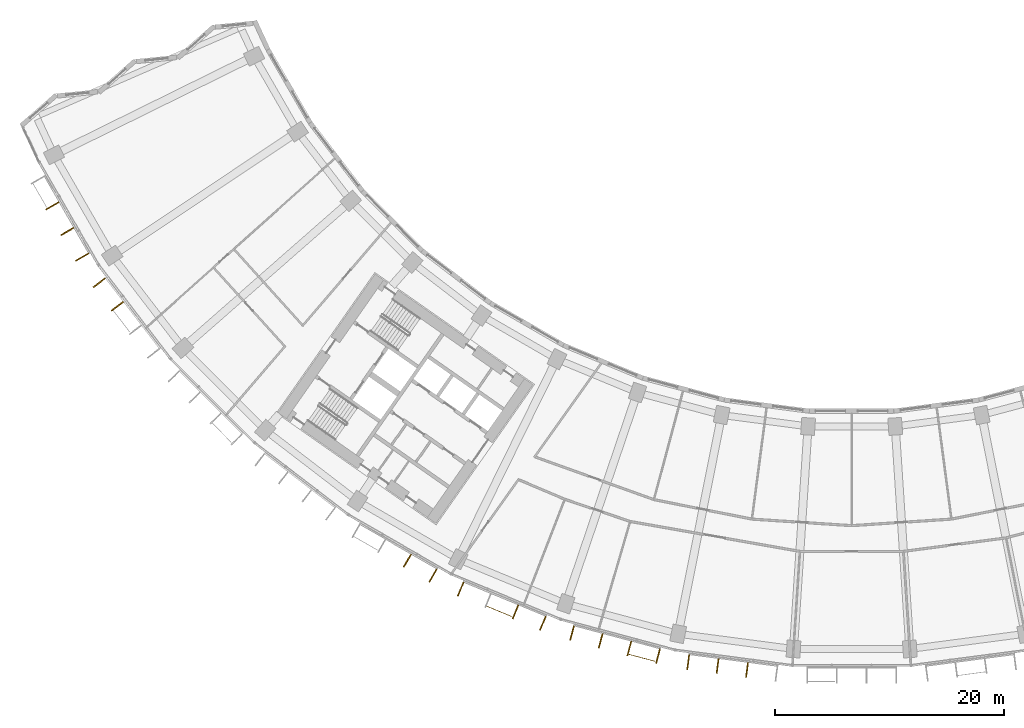
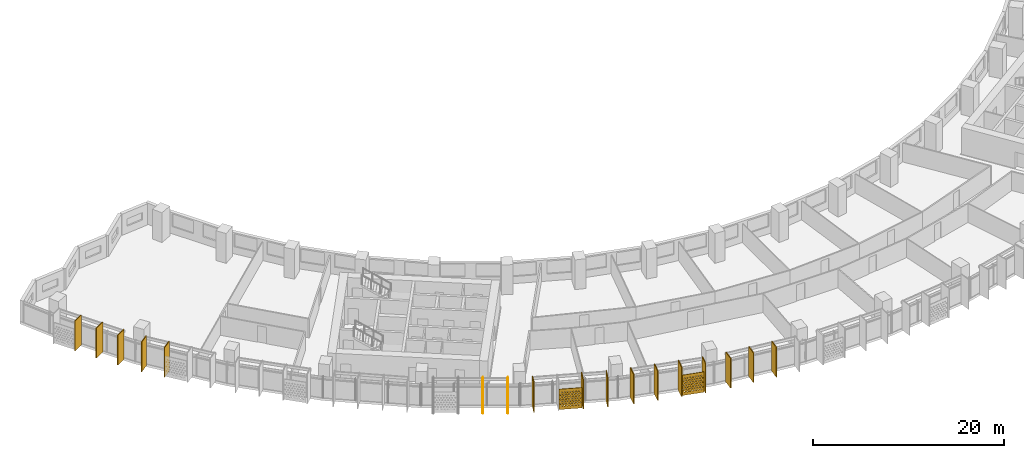
# One storey, part 24 of 28: 19 shading devices.
"""IFC4 building model written with IfcOpenShell, lengths in metres."""

from ifc_helpers import new_model, si_unit, direction, frame, origin, origin_2d, place, context, subcontext, project, spatial, polyline, rectangle, outline, extrude, material, material_profile, profile_set, type_object, element, save


model = new_model("IFC4")

# Units and contexts
model_context = context("Model", 3, precision=1e-05, world=origin(), true_north=direction((0.0, 1.0)))
body_context = subcontext(model_context, "Body", "Model", "MODEL_VIEW")
ifc_project = project(units=[si_unit("LENGTHUNIT", "METRE"), si_unit("AREAUNIT", "SQUARE_METRE"), si_unit("VOLUMEUNIT", "CUBIC_METRE"), si_unit("PLANEANGLEUNIT", "RADIAN"), si_unit("MASSUNIT", "GRAM", prefix="KILO")], contexts=[model_context])

# Site, building, storey
site_placement = place(None, origin())
site = spatial("IfcSite", under=ifc_project, at=site_placement, CompositionType="ELEMENT")
building_placement = place(site_placement, origin())
building = spatial("IfcBuilding", under=site, at=building_placement, Name="Qamariyya Broadcast Tower", CompositionType="ELEMENT")
storey_placement = place(building_placement, frame((0.0, 0.0, 140.5)))
storey = spatial("IfcBuildingStorey", under=building, at=storey_placement, Name="L32", CompositionType="ELEMENT", Elevation=140.5)

# Shading devices
ifc_material_1 = material(Name="Perforated glazed terracotta", Category="masonry")
ifc_material_profile_1 = material_profile(ifc_material_1, outline(polyline([(-1.199951171875, -1.300048828125), (1.199951171875, -1.300048828125), (1.199951171875, 1.300048828125), (-1.199951171875, 1.300048828125), (-1.199951171875, -1.300048828125)]), holes=[polyline([(-0.81494140625, -0.86669921875), (-0.89990234375, -0.78173828125), (-0.985107421875, -0.86669921875), (-0.89990234375, -0.95166015625), (-0.81494140625, -0.86669921875)]), polyline([(-0.514892578125, -0.86669921875), (-0.60009765625, -0.78173828125), (-0.68505859375, -0.86669921875), (-0.60009765625, -0.95166015625), (-0.514892578125, -0.86669921875)]), polyline([(-0.215087890625, -0.86669921875), (-0.300048828125, -0.78173828125), (-0.385009765625, -0.86669921875), (-0.300048828125, -0.95166015625), (-0.215087890625, -0.86669921875)]), polyline([(0.0849609375, -0.86669921875), (0.0, -0.78173828125), (-0.0849609375, -0.86669921875), (0.0, -0.95166015625), (0.0849609375, -0.86669921875)]), polyline([(0.385009765625, -0.86669921875), (0.300048828125, -0.78173828125), (0.215087890625, -0.86669921875), (0.300048828125, -0.95166015625), (0.385009765625, -0.86669921875)]), polyline([(0.68505859375, -0.86669921875), (0.60009765625, -0.78173828125), (0.514892578125, -0.86669921875), (0.60009765625, -0.95166015625), (0.68505859375, -0.86669921875)]), polyline([(0.985107421875, -0.86669921875), (0.89990234375, -0.78173828125), (0.81494140625, -0.86669921875), (0.89990234375, -0.95166015625), (0.985107421875, -0.86669921875)]), polyline([(-0.965087890625, -0.577880859375), (-1.050048828125, -0.49267578125), (-1.135009765625, -0.577880859375), (-1.050048828125, -0.662841796875), (-0.965087890625, -0.577880859375)]), polyline([(-0.6650390625, -0.577880859375), (-0.75, -0.49267578125), (-0.8349609375, -0.577880859375), (-0.75, -0.662841796875), (-0.6650390625, -0.577880859375)]), polyline([(-0.364990234375, -0.577880859375), (-0.449951171875, -0.49267578125), (-0.534912109375, -0.577880859375), (-0.449951171875, -0.662841796875), (-0.364990234375, -0.577880859375)]), polyline([(-0.06494140625, -0.577880859375), (-0.14990234375, -0.49267578125), (-0.235107421875, -0.577880859375), (-0.14990234375, -0.662841796875), (-0.06494140625, -0.577880859375)]), polyline([(0.235107421875, -0.577880859375), (0.14990234375, -0.49267578125), (0.06494140625, -0.577880859375), (0.14990234375, -0.662841796875), (0.235107421875, -0.577880859375)]), polyline([(0.534912109375, -0.577880859375), (0.449951171875, -0.49267578125), (0.364990234375, -0.577880859375), (0.449951171875, -0.662841796875), (0.534912109375, -0.577880859375)]), polyline([(0.8349609375, -0.577880859375), (0.75, -0.49267578125), (0.6650390625, -0.577880859375), (0.75, -0.662841796875), (0.8349609375, -0.577880859375)]), polyline([(1.135009765625, -0.577880859375), (1.050048828125, -0.49267578125), (0.965087890625, -0.577880859375), (1.050048828125, -0.662841796875), (1.135009765625, -0.577880859375)]), polyline([(-0.81494140625, -0.288818359375), (-0.89990234375, -0.203857421875), (-0.985107421875, -0.288818359375), (-0.89990234375, -0.373779296875), (-0.81494140625, -0.288818359375)]), polyline([(-0.514892578125, -0.288818359375), (-0.60009765625, -0.203857421875), (-0.68505859375, -0.288818359375), (-0.60009765625, -0.373779296875), (-0.514892578125, -0.288818359375)]), polyline([(-0.215087890625, -0.288818359375), (-0.300048828125, -0.203857421875), (-0.385009765625, -0.288818359375), (-0.300048828125, -0.373779296875), (-0.215087890625, -0.288818359375)]), polyline([(0.0849609375, -0.288818359375), (0.0, -0.203857421875), (-0.0849609375, -0.288818359375), (0.0, -0.373779296875), (0.0849609375, -0.288818359375)]), polyline([(0.385009765625, -0.288818359375), (0.300048828125, -0.203857421875), (0.215087890625, -0.288818359375), (0.300048828125, -0.373779296875), (0.385009765625, -0.288818359375)]), polyline([(0.68505859375, -0.288818359375), (0.60009765625, -0.203857421875), (0.514892578125, -0.288818359375), (0.60009765625, -0.373779296875), (0.68505859375, -0.288818359375)]), polyline([(0.985107421875, -0.288818359375), (0.89990234375, -0.203857421875), (0.81494140625, -0.288818359375), (0.89990234375, -0.373779296875), (0.985107421875, -0.288818359375)]), polyline([(-0.965087890625, 0.0), (-1.050048828125, 0.0849609375), (-1.135009765625, 0.0), (-1.050048828125, -0.0849609375), (-0.965087890625, 0.0)]), polyline([(-0.6650390625, 0.0), (-0.75, 0.0849609375), (-0.8349609375, 0.0), (-0.75, -0.0849609375), (-0.6650390625, 0.0)]), polyline([(-0.364990234375, 0.0), (-0.449951171875, 0.0849609375), (-0.534912109375, 0.0), (-0.449951171875, -0.0849609375), (-0.364990234375, 0.0)]), polyline([(-0.06494140625, 0.0), (-0.14990234375, 0.0849609375), (-0.235107421875, 0.0), (-0.14990234375, -0.0849609375), (-0.06494140625, 0.0)]), polyline([(0.235107421875, 0.0), (0.14990234375, 0.0849609375), (0.06494140625, 0.0), (0.14990234375, -0.0849609375), (0.235107421875, 0.0)]), polyline([(0.534912109375, 0.0), (0.449951171875, 0.0849609375), (0.364990234375, 0.0), (0.449951171875, -0.0849609375), (0.534912109375, 0.0)]), polyline([(0.8349609375, 0.0), (0.75, 0.0849609375), (0.6650390625, 0.0), (0.75, -0.0849609375), (0.8349609375, 0.0)]), polyline([(1.135009765625, 0.0), (1.050048828125, 0.0849609375), (0.965087890625, 0.0), (1.050048828125, -0.0849609375), (1.135009765625, 0.0)]), polyline([(-0.81494140625, 0.288818359375), (-0.89990234375, 0.373779296875), (-0.985107421875, 0.288818359375), (-0.89990234375, 0.203857421875), (-0.81494140625, 0.288818359375)]), polyline([(-0.514892578125, 0.288818359375), (-0.60009765625, 0.373779296875), (-0.68505859375, 0.288818359375), (-0.60009765625, 0.203857421875), (-0.514892578125, 0.288818359375)]), polyline([(-0.215087890625, 0.288818359375), (-0.300048828125, 0.373779296875), (-0.385009765625, 0.288818359375), (-0.300048828125, 0.203857421875), (-0.215087890625, 0.288818359375)]), polyline([(0.0849609375, 0.288818359375), (0.0, 0.373779296875), (-0.0849609375, 0.288818359375), (0.0, 0.203857421875), (0.0849609375, 0.288818359375)]), polyline([(0.385009765625, 0.288818359375), (0.300048828125, 0.373779296875), (0.215087890625, 0.288818359375), (0.300048828125, 0.203857421875), (0.385009765625, 0.288818359375)]), polyline([(0.68505859375, 0.288818359375), (0.60009765625, 0.373779296875), (0.514892578125, 0.288818359375), (0.60009765625, 0.203857421875), (0.68505859375, 0.288818359375)]), polyline([(0.985107421875, 0.288818359375), (0.89990234375, 0.373779296875), (0.81494140625, 0.288818359375), (0.89990234375, 0.203857421875), (0.985107421875, 0.288818359375)]), polyline([(-0.965087890625, 0.577880859375), (-1.050048828125, 0.662841796875), (-1.135009765625, 0.577880859375), (-1.050048828125, 0.49267578125), (-0.965087890625, 0.577880859375)]), polyline([(-0.6650390625, 0.577880859375), (-0.75, 0.662841796875), (-0.8349609375, 0.577880859375), (-0.75, 0.49267578125), (-0.6650390625, 0.577880859375)]), polyline([(-0.364990234375, 0.577880859375), (-0.449951171875, 0.662841796875), (-0.534912109375, 0.577880859375), (-0.449951171875, 0.49267578125), (-0.364990234375, 0.577880859375)]), polyline([(-0.06494140625, 0.577880859375), (-0.14990234375, 0.662841796875), (-0.235107421875, 0.577880859375), (-0.14990234375, 0.49267578125), (-0.06494140625, 0.577880859375)]), polyline([(0.235107421875, 0.577880859375), (0.14990234375, 0.662841796875), (0.06494140625, 0.577880859375), (0.14990234375, 0.49267578125), (0.235107421875, 0.577880859375)]), polyline([(0.534912109375, 0.577880859375), (0.449951171875, 0.662841796875), (0.364990234375, 0.577880859375), (0.449951171875, 0.49267578125), (0.534912109375, 0.577880859375)]), polyline([(0.8349609375, 0.577880859375), (0.75, 0.662841796875), (0.6650390625, 0.577880859375), (0.75, 0.49267578125), (0.8349609375, 0.577880859375)]), polyline([(1.135009765625, 0.577880859375), (1.050048828125, 0.662841796875), (0.965087890625, 0.577880859375), (1.050048828125, 0.49267578125), (1.135009765625, 0.577880859375)]), polyline([(-0.81494140625, 0.86669921875), (-0.89990234375, 0.95166015625), (-0.985107421875, 0.86669921875), (-0.89990234375, 0.78173828125), (-0.81494140625, 0.86669921875)]), polyline([(-0.514892578125, 0.86669921875), (-0.60009765625, 0.95166015625), (-0.68505859375, 0.86669921875), (-0.60009765625, 0.78173828125), (-0.514892578125, 0.86669921875)]), polyline([(-0.215087890625, 0.86669921875), (-0.300048828125, 0.95166015625), (-0.385009765625, 0.86669921875), (-0.300048828125, 0.78173828125), (-0.215087890625, 0.86669921875)]), polyline([(0.0849609375, 0.86669921875), (0.0, 0.95166015625), (-0.0849609375, 0.86669921875), (0.0, 0.78173828125), (0.0849609375, 0.86669921875)]), polyline([(0.385009765625, 0.86669921875), (0.300048828125, 0.95166015625), (0.215087890625, 0.86669921875), (0.300048828125, 0.78173828125), (0.385009765625, 0.86669921875)]), polyline([(0.68505859375, 0.86669921875), (0.60009765625, 0.95166015625), (0.514892578125, 0.86669921875), (0.60009765625, 0.78173828125), (0.68505859375, 0.86669921875)]), polyline([(0.985107421875, 0.86669921875), (0.89990234375, 0.95166015625), (0.81494140625, 0.86669921875), (0.89990234375, 0.78173828125), (0.985107421875, 0.86669921875)])]))
ifc_profile_set_1 = profile_set([ifc_material_profile_1], Name="Perforated glazed terracotta")
shading_device_type_1 = type_object("IfcShadingDeviceType", Name="Perforated terracotta screen 2400 x 2600", PredefinedType="USERDEFINED", material=ifc_profile_set_1)
shading_device_1_placement = place(storey_placement, frame((-30.810791015625, -74.26220703125, 1.35009765625), z_axis=(-0.382591441855, -0.923917630863, 0.0), x_axis=(0.923917630863, -0.382591441855, 0.0)))
element("IfcShadingDevice", 1, at=shading_device_1_placement, inside=storey, type_object=shading_device_type_1, Name="e-scr-L32-06-1", ObjectType="SCREEN", PredefinedType="USERDEFINED", context=body_context, shape_type="SweptSolid", body=[
    extrude(outline(polyline([(-1.199951171875, -1.300048828125), (1.199951171875, -1.300048828125), (1.199951171875, 1.300048828125), (-1.199951171875, 1.300048828125), (-1.199951171875, -1.300048828125)]), holes=[polyline([(-0.81494140625, -0.86669921875), (-0.89990234375, -0.78173828125), (-0.985107421875, -0.86669921875), (-0.89990234375, -0.95166015625), (-0.81494140625, -0.86669921875)]), polyline([(-0.514892578125, -0.86669921875), (-0.60009765625, -0.78173828125), (-0.68505859375, -0.86669921875), (-0.60009765625, -0.95166015625), (-0.514892578125, -0.86669921875)]), polyline([(-0.215087890625, -0.86669921875), (-0.300048828125, -0.78173828125), (-0.385009765625, -0.86669921875), (-0.300048828125, -0.95166015625), (-0.215087890625, -0.86669921875)]), polyline([(0.0849609375, -0.86669921875), (0.0, -0.78173828125), (-0.0849609375, -0.86669921875), (0.0, -0.95166015625), (0.0849609375, -0.86669921875)]), polyline([(0.385009765625, -0.86669921875), (0.300048828125, -0.78173828125), (0.215087890625, -0.86669921875), (0.300048828125, -0.95166015625), (0.385009765625, -0.86669921875)]), polyline([(0.68505859375, -0.86669921875), (0.60009765625, -0.78173828125), (0.514892578125, -0.86669921875), (0.60009765625, -0.95166015625), (0.68505859375, -0.86669921875)]), polyline([(0.985107421875, -0.86669921875), (0.89990234375, -0.78173828125), (0.81494140625, -0.86669921875), (0.89990234375, -0.95166015625), (0.985107421875, -0.86669921875)]), polyline([(-0.965087890625, -0.577880859375), (-1.050048828125, -0.49267578125), (-1.135009765625, -0.577880859375), (-1.050048828125, -0.662841796875), (-0.965087890625, -0.577880859375)]), polyline([(-0.6650390625, -0.577880859375), (-0.75, -0.49267578125), (-0.8349609375, -0.577880859375), (-0.75, -0.662841796875), (-0.6650390625, -0.577880859375)]), polyline([(-0.364990234375, -0.577880859375), (-0.449951171875, -0.49267578125), (-0.534912109375, -0.577880859375), (-0.449951171875, -0.662841796875), (-0.364990234375, -0.577880859375)]), polyline([(-0.06494140625, -0.577880859375), (-0.14990234375, -0.49267578125), (-0.235107421875, -0.577880859375), (-0.14990234375, -0.662841796875), (-0.06494140625, -0.577880859375)]), polyline([(0.235107421875, -0.577880859375), (0.14990234375, -0.49267578125), (0.06494140625, -0.577880859375), (0.14990234375, -0.662841796875), (0.235107421875, -0.577880859375)]), polyline([(0.534912109375, -0.577880859375), (0.449951171875, -0.49267578125), (0.364990234375, -0.577880859375), (0.449951171875, -0.662841796875), (0.534912109375, -0.577880859375)]), polyline([(0.8349609375, -0.577880859375), (0.75, -0.49267578125), (0.6650390625, -0.577880859375), (0.75, -0.662841796875), (0.8349609375, -0.577880859375)]), polyline([(1.135009765625, -0.577880859375), (1.050048828125, -0.49267578125), (0.965087890625, -0.577880859375), (1.050048828125, -0.662841796875), (1.135009765625, -0.577880859375)]), polyline([(-0.81494140625, -0.288818359375), (-0.89990234375, -0.203857421875), (-0.985107421875, -0.288818359375), (-0.89990234375, -0.373779296875), (-0.81494140625, -0.288818359375)]), polyline([(-0.514892578125, -0.288818359375), (-0.60009765625, -0.203857421875), (-0.68505859375, -0.288818359375), (-0.60009765625, -0.373779296875), (-0.514892578125, -0.288818359375)]), polyline([(-0.215087890625, -0.288818359375), (-0.300048828125, -0.203857421875), (-0.385009765625, -0.288818359375), (-0.300048828125, -0.373779296875), (-0.215087890625, -0.288818359375)]), polyline([(0.0849609375, -0.288818359375), (0.0, -0.203857421875), (-0.0849609375, -0.288818359375), (0.0, -0.373779296875), (0.0849609375, -0.288818359375)]), polyline([(0.385009765625, -0.288818359375), (0.300048828125, -0.203857421875), (0.215087890625, -0.288818359375), (0.300048828125, -0.373779296875), (0.385009765625, -0.288818359375)]), polyline([(0.68505859375, -0.288818359375), (0.60009765625, -0.203857421875), (0.514892578125, -0.288818359375), (0.60009765625, -0.373779296875), (0.68505859375, -0.288818359375)]), polyline([(0.985107421875, -0.288818359375), (0.89990234375, -0.203857421875), (0.81494140625, -0.288818359375), (0.89990234375, -0.373779296875), (0.985107421875, -0.288818359375)]), polyline([(-0.965087890625, 0.0), (-1.050048828125, 0.0849609375), (-1.135009765625, 0.0), (-1.050048828125, -0.0849609375), (-0.965087890625, 0.0)]), polyline([(-0.6650390625, 0.0), (-0.75, 0.0849609375), (-0.8349609375, 0.0), (-0.75, -0.0849609375), (-0.6650390625, 0.0)]), polyline([(-0.364990234375, 0.0), (-0.449951171875, 0.0849609375), (-0.534912109375, 0.0), (-0.449951171875, -0.0849609375), (-0.364990234375, 0.0)]), polyline([(-0.06494140625, 0.0), (-0.14990234375, 0.0849609375), (-0.235107421875, 0.0), (-0.14990234375, -0.0849609375), (-0.06494140625, 0.0)]), polyline([(0.235107421875, 0.0), (0.14990234375, 0.0849609375), (0.06494140625, 0.0), (0.14990234375, -0.0849609375), (0.235107421875, 0.0)]), polyline([(0.534912109375, 0.0), (0.449951171875, 0.0849609375), (0.364990234375, 0.0), (0.449951171875, -0.0849609375), (0.534912109375, 0.0)]), polyline([(0.8349609375, 0.0), (0.75, 0.0849609375), (0.6650390625, 0.0), (0.75, -0.0849609375), (0.8349609375, 0.0)]), polyline([(1.135009765625, 0.0), (1.050048828125, 0.0849609375), (0.965087890625, 0.0), (1.050048828125, -0.0849609375), (1.135009765625, 0.0)]), polyline([(-0.81494140625, 0.288818359375), (-0.89990234375, 0.373779296875), (-0.985107421875, 0.288818359375), (-0.89990234375, 0.203857421875), (-0.81494140625, 0.288818359375)]), polyline([(-0.514892578125, 0.288818359375), (-0.60009765625, 0.373779296875), (-0.68505859375, 0.288818359375), (-0.60009765625, 0.203857421875), (-0.514892578125, 0.288818359375)]), polyline([(-0.215087890625, 0.288818359375), (-0.300048828125, 0.373779296875), (-0.385009765625, 0.288818359375), (-0.300048828125, 0.203857421875), (-0.215087890625, 0.288818359375)]), polyline([(0.0849609375, 0.288818359375), (0.0, 0.373779296875), (-0.0849609375, 0.288818359375), (0.0, 0.203857421875), (0.0849609375, 0.288818359375)]), polyline([(0.385009765625, 0.288818359375), (0.300048828125, 0.373779296875), (0.215087890625, 0.288818359375), (0.300048828125, 0.203857421875), (0.385009765625, 0.288818359375)]), polyline([(0.68505859375, 0.288818359375), (0.60009765625, 0.373779296875), (0.514892578125, 0.288818359375), (0.60009765625, 0.203857421875), (0.68505859375, 0.288818359375)]), polyline([(0.985107421875, 0.288818359375), (0.89990234375, 0.373779296875), (0.81494140625, 0.288818359375), (0.89990234375, 0.203857421875), (0.985107421875, 0.288818359375)]), polyline([(-0.965087890625, 0.577880859375), (-1.050048828125, 0.662841796875), (-1.135009765625, 0.577880859375), (-1.050048828125, 0.49267578125), (-0.965087890625, 0.577880859375)]), polyline([(-0.6650390625, 0.577880859375), (-0.75, 0.662841796875), (-0.8349609375, 0.577880859375), (-0.75, 0.49267578125), (-0.6650390625, 0.577880859375)]), polyline([(-0.364990234375, 0.577880859375), (-0.449951171875, 0.662841796875), (-0.534912109375, 0.577880859375), (-0.449951171875, 0.49267578125), (-0.364990234375, 0.577880859375)]), polyline([(-0.06494140625, 0.577880859375), (-0.14990234375, 0.662841796875), (-0.235107421875, 0.577880859375), (-0.14990234375, 0.49267578125), (-0.06494140625, 0.577880859375)]), polyline([(0.235107421875, 0.577880859375), (0.14990234375, 0.662841796875), (0.06494140625, 0.577880859375), (0.14990234375, 0.49267578125), (0.235107421875, 0.577880859375)]), polyline([(0.534912109375, 0.577880859375), (0.449951171875, 0.662841796875), (0.364990234375, 0.577880859375), (0.449951171875, 0.49267578125), (0.534912109375, 0.577880859375)]), polyline([(0.8349609375, 0.577880859375), (0.75, 0.662841796875), (0.6650390625, 0.577880859375), (0.75, 0.49267578125), (0.8349609375, 0.577880859375)]), polyline([(1.135009765625, 0.577880859375), (1.050048828125, 0.662841796875), (0.965087890625, 0.577880859375), (1.050048828125, 0.49267578125), (1.135009765625, 0.577880859375)]), polyline([(-0.81494140625, 0.86669921875), (-0.89990234375, 0.95166015625), (-0.985107421875, 0.86669921875), (-0.89990234375, 0.78173828125), (-0.81494140625, 0.86669921875)]), polyline([(-0.514892578125, 0.86669921875), (-0.60009765625, 0.95166015625), (-0.68505859375, 0.86669921875), (-0.60009765625, 0.78173828125), (-0.514892578125, 0.86669921875)]), polyline([(-0.215087890625, 0.86669921875), (-0.300048828125, 0.95166015625), (-0.385009765625, 0.86669921875), (-0.300048828125, 0.78173828125), (-0.215087890625, 0.86669921875)]), polyline([(0.0849609375, 0.86669921875), (0.0, 0.95166015625), (-0.0849609375, 0.86669921875), (0.0, 0.78173828125), (0.0849609375, 0.86669921875)]), polyline([(0.385009765625, 0.86669921875), (0.300048828125, 0.95166015625), (0.215087890625, 0.86669921875), (0.300048828125, 0.78173828125), (0.385009765625, 0.86669921875)]), polyline([(0.68505859375, 0.86669921875), (0.60009765625, 0.95166015625), (0.514892578125, 0.86669921875), (0.60009765625, 0.78173828125), (0.68505859375, 0.86669921875)]), polyline([(0.985107421875, 0.86669921875), (0.89990234375, 0.95166015625), (0.81494140625, 0.86669921875), (0.89990234375, 0.78173828125), (0.985107421875, 0.86669921875)])]), origin(), (0.0, 0.0, 1.0), 0.06005859375),
])
shading_device_2_placement = place(storey_placement, frame((-18.349365234375, -78.31982421875, 1.35009765625), z_axis=(-0.256901156343, -0.966437683387, 0.0), x_axis=(0.966437683387, -0.256901156343, 0.0)))
element("IfcShadingDevice", 2, at=shading_device_2_placement, inside=storey, type_object=shading_device_type_1, Name="e-scr-L32-07-2", ObjectType="SCREEN", PredefinedType="USERDEFINED", context=body_context, shape_type="SweptSolid", body=[
    extrude(outline(polyline([(-1.199951171875, -1.300048828125), (1.199951171875, -1.300048828125), (1.199951171875, 1.300048828125), (-1.199951171875, 1.300048828125), (-1.199951171875, -1.300048828125)]), holes=[polyline([(-0.81494140625, -0.86669921875), (-0.89990234375, -0.78173828125), (-0.985107421875, -0.86669921875), (-0.89990234375, -0.95166015625), (-0.81494140625, -0.86669921875)]), polyline([(-0.514892578125, -0.86669921875), (-0.60009765625, -0.78173828125), (-0.68505859375, -0.86669921875), (-0.60009765625, -0.95166015625), (-0.514892578125, -0.86669921875)]), polyline([(-0.215087890625, -0.86669921875), (-0.300048828125, -0.78173828125), (-0.385009765625, -0.86669921875), (-0.300048828125, -0.95166015625), (-0.215087890625, -0.86669921875)]), polyline([(0.0849609375, -0.86669921875), (0.0, -0.78173828125), (-0.0849609375, -0.86669921875), (0.0, -0.95166015625), (0.0849609375, -0.86669921875)]), polyline([(0.385009765625, -0.86669921875), (0.300048828125, -0.78173828125), (0.215087890625, -0.86669921875), (0.300048828125, -0.95166015625), (0.385009765625, -0.86669921875)]), polyline([(0.68505859375, -0.86669921875), (0.60009765625, -0.78173828125), (0.514892578125, -0.86669921875), (0.60009765625, -0.95166015625), (0.68505859375, -0.86669921875)]), polyline([(0.985107421875, -0.86669921875), (0.89990234375, -0.78173828125), (0.81494140625, -0.86669921875), (0.89990234375, -0.95166015625), (0.985107421875, -0.86669921875)]), polyline([(-0.965087890625, -0.577880859375), (-1.050048828125, -0.49267578125), (-1.135009765625, -0.577880859375), (-1.050048828125, -0.662841796875), (-0.965087890625, -0.577880859375)]), polyline([(-0.6650390625, -0.577880859375), (-0.75, -0.49267578125), (-0.8349609375, -0.577880859375), (-0.75, -0.662841796875), (-0.6650390625, -0.577880859375)]), polyline([(-0.364990234375, -0.577880859375), (-0.449951171875, -0.49267578125), (-0.534912109375, -0.577880859375), (-0.449951171875, -0.662841796875), (-0.364990234375, -0.577880859375)]), polyline([(-0.06494140625, -0.577880859375), (-0.14990234375, -0.49267578125), (-0.235107421875, -0.577880859375), (-0.14990234375, -0.662841796875), (-0.06494140625, -0.577880859375)]), polyline([(0.235107421875, -0.577880859375), (0.14990234375, -0.49267578125), (0.06494140625, -0.577880859375), (0.14990234375, -0.662841796875), (0.235107421875, -0.577880859375)]), polyline([(0.534912109375, -0.577880859375), (0.449951171875, -0.49267578125), (0.364990234375, -0.577880859375), (0.449951171875, -0.662841796875), (0.534912109375, -0.577880859375)]), polyline([(0.8349609375, -0.577880859375), (0.75, -0.49267578125), (0.6650390625, -0.577880859375), (0.75, -0.662841796875), (0.8349609375, -0.577880859375)]), polyline([(1.135009765625, -0.577880859375), (1.050048828125, -0.49267578125), (0.965087890625, -0.577880859375), (1.050048828125, -0.662841796875), (1.135009765625, -0.577880859375)]), polyline([(-0.81494140625, -0.288818359375), (-0.89990234375, -0.203857421875), (-0.985107421875, -0.288818359375), (-0.89990234375, -0.373779296875), (-0.81494140625, -0.288818359375)]), polyline([(-0.514892578125, -0.288818359375), (-0.60009765625, -0.203857421875), (-0.68505859375, -0.288818359375), (-0.60009765625, -0.373779296875), (-0.514892578125, -0.288818359375)]), polyline([(-0.215087890625, -0.288818359375), (-0.300048828125, -0.203857421875), (-0.385009765625, -0.288818359375), (-0.300048828125, -0.373779296875), (-0.215087890625, -0.288818359375)]), polyline([(0.0849609375, -0.288818359375), (0.0, -0.203857421875), (-0.0849609375, -0.288818359375), (0.0, -0.373779296875), (0.0849609375, -0.288818359375)]), polyline([(0.385009765625, -0.288818359375), (0.300048828125, -0.203857421875), (0.215087890625, -0.288818359375), (0.300048828125, -0.373779296875), (0.385009765625, -0.288818359375)]), polyline([(0.68505859375, -0.288818359375), (0.60009765625, -0.203857421875), (0.514892578125, -0.288818359375), (0.60009765625, -0.373779296875), (0.68505859375, -0.288818359375)]), polyline([(0.985107421875, -0.288818359375), (0.89990234375, -0.203857421875), (0.81494140625, -0.288818359375), (0.89990234375, -0.373779296875), (0.985107421875, -0.288818359375)]), polyline([(-0.965087890625, 0.0), (-1.050048828125, 0.0849609375), (-1.135009765625, 0.0), (-1.050048828125, -0.0849609375), (-0.965087890625, 0.0)]), polyline([(-0.6650390625, 0.0), (-0.75, 0.0849609375), (-0.8349609375, 0.0), (-0.75, -0.0849609375), (-0.6650390625, 0.0)]), polyline([(-0.364990234375, 0.0), (-0.449951171875, 0.0849609375), (-0.534912109375, 0.0), (-0.449951171875, -0.0849609375), (-0.364990234375, 0.0)]), polyline([(-0.06494140625, 0.0), (-0.14990234375, 0.0849609375), (-0.235107421875, 0.0), (-0.14990234375, -0.0849609375), (-0.06494140625, 0.0)]), polyline([(0.235107421875, 0.0), (0.14990234375, 0.0849609375), (0.06494140625, 0.0), (0.14990234375, -0.0849609375), (0.235107421875, 0.0)]), polyline([(0.534912109375, 0.0), (0.449951171875, 0.0849609375), (0.364990234375, 0.0), (0.449951171875, -0.0849609375), (0.534912109375, 0.0)]), polyline([(0.8349609375, 0.0), (0.75, 0.0849609375), (0.6650390625, 0.0), (0.75, -0.0849609375), (0.8349609375, 0.0)]), polyline([(1.135009765625, 0.0), (1.050048828125, 0.0849609375), (0.965087890625, 0.0), (1.050048828125, -0.0849609375), (1.135009765625, 0.0)]), polyline([(-0.81494140625, 0.288818359375), (-0.89990234375, 0.373779296875), (-0.985107421875, 0.288818359375), (-0.89990234375, 0.203857421875), (-0.81494140625, 0.288818359375)]), polyline([(-0.514892578125, 0.288818359375), (-0.60009765625, 0.373779296875), (-0.68505859375, 0.288818359375), (-0.60009765625, 0.203857421875), (-0.514892578125, 0.288818359375)]), polyline([(-0.215087890625, 0.288818359375), (-0.300048828125, 0.373779296875), (-0.385009765625, 0.288818359375), (-0.300048828125, 0.203857421875), (-0.215087890625, 0.288818359375)]), polyline([(0.0849609375, 0.288818359375), (0.0, 0.373779296875), (-0.0849609375, 0.288818359375), (0.0, 0.203857421875), (0.0849609375, 0.288818359375)]), polyline([(0.385009765625, 0.288818359375), (0.300048828125, 0.373779296875), (0.215087890625, 0.288818359375), (0.300048828125, 0.203857421875), (0.385009765625, 0.288818359375)]), polyline([(0.68505859375, 0.288818359375), (0.60009765625, 0.373779296875), (0.514892578125, 0.288818359375), (0.60009765625, 0.203857421875), (0.68505859375, 0.288818359375)]), polyline([(0.985107421875, 0.288818359375), (0.89990234375, 0.373779296875), (0.81494140625, 0.288818359375), (0.89990234375, 0.203857421875), (0.985107421875, 0.288818359375)]), polyline([(-0.965087890625, 0.577880859375), (-1.050048828125, 0.662841796875), (-1.135009765625, 0.577880859375), (-1.050048828125, 0.49267578125), (-0.965087890625, 0.577880859375)]), polyline([(-0.6650390625, 0.577880859375), (-0.75, 0.662841796875), (-0.8349609375, 0.577880859375), (-0.75, 0.49267578125), (-0.6650390625, 0.577880859375)]), polyline([(-0.364990234375, 0.577880859375), (-0.449951171875, 0.662841796875), (-0.534912109375, 0.577880859375), (-0.449951171875, 0.49267578125), (-0.364990234375, 0.577880859375)]), polyline([(-0.06494140625, 0.577880859375), (-0.14990234375, 0.662841796875), (-0.235107421875, 0.577880859375), (-0.14990234375, 0.49267578125), (-0.06494140625, 0.577880859375)]), polyline([(0.235107421875, 0.577880859375), (0.14990234375, 0.662841796875), (0.06494140625, 0.577880859375), (0.14990234375, 0.49267578125), (0.235107421875, 0.577880859375)]), polyline([(0.534912109375, 0.577880859375), (0.449951171875, 0.662841796875), (0.364990234375, 0.577880859375), (0.449951171875, 0.49267578125), (0.534912109375, 0.577880859375)]), polyline([(0.8349609375, 0.577880859375), (0.75, 0.662841796875), (0.6650390625, 0.577880859375), (0.75, 0.49267578125), (0.8349609375, 0.577880859375)]), polyline([(1.135009765625, 0.577880859375), (1.050048828125, 0.662841796875), (0.965087890625, 0.577880859375), (1.050048828125, 0.49267578125), (1.135009765625, 0.577880859375)]), polyline([(-0.81494140625, 0.86669921875), (-0.89990234375, 0.95166015625), (-0.985107421875, 0.86669921875), (-0.89990234375, 0.78173828125), (-0.81494140625, 0.86669921875)]), polyline([(-0.514892578125, 0.86669921875), (-0.60009765625, 0.95166015625), (-0.68505859375, 0.86669921875), (-0.60009765625, 0.78173828125), (-0.514892578125, 0.86669921875)]), polyline([(-0.215087890625, 0.86669921875), (-0.300048828125, 0.95166015625), (-0.385009765625, 0.86669921875), (-0.300048828125, 0.78173828125), (-0.215087890625, 0.86669921875)]), polyline([(0.0849609375, 0.86669921875), (0.0, 0.95166015625), (-0.0849609375, 0.86669921875), (0.0, 0.78173828125), (0.0849609375, 0.86669921875)]), polyline([(0.385009765625, 0.86669921875), (0.300048828125, 0.95166015625), (0.215087890625, 0.86669921875), (0.300048828125, 0.78173828125), (0.385009765625, 0.86669921875)]), polyline([(0.68505859375, 0.86669921875), (0.60009765625, 0.95166015625), (0.514892578125, 0.86669921875), (0.60009765625, 0.78173828125), (0.68505859375, 0.86669921875)]), polyline([(0.985107421875, 0.86669921875), (0.89990234375, 0.95166015625), (0.81494140625, 0.86669921875), (0.89990234375, 0.78173828125), (0.985107421875, 0.86669921875)])]), origin(), (0.0, 0.0, 1.0), 0.059814453125),
])
ifc_material_2 = material(Name="Glazed terracotta", Category="masonry")
ifc_material_profile_2 = material_profile(ifc_material_2, rectangle(XDim=1.300048828125, YDim=0.10009765625, at=origin_2d()))
ifc_profile_set_2 = profile_set([ifc_material_profile_2], Name="Glazed terracotta")
shading_device_type_2 = type_object("IfcShadingDeviceType", Name="Terracotta fin 100 x 1300", PredefinedType="USERDEFINED", material=ifc_profile_set_2)
for number, where, z_axis, x_axis, name in (
    (3, (-69.869873046875, -38.84228515625, 0.0), (0.0, 0.0, 1.0), (-0.866025403784, -0.5, 0.0), "e-fin-L32-01-1"),
    (4, (-68.5732421875, -41.087890625, 0.0), (0.0, 0.0, 1.0), (-0.866025403784, -0.5, 0.0), "e-fin-L32-01-2"),
    (5, (-67.276611328125, -43.333740234375, 0.0), (0.0, 0.0, 1.0), (-0.866025403784, -0.5, 0.0), "e-fin-L32-01-3"),
    (6, (-65.781005859375, -45.572509765625, 0.0), (0.0, 0.0, 1.0), (-0.793353340291, -0.608761429009, 0.0), "e-fin-L32-02-0"),
    (7, (-64.2021484375, -47.629638671875, 0.0), (0.0, 0.0, 1.0), (-0.793353340291, -0.608761429009, 0.0), "e-fin-L32-02-1"),
    (8, (-38.84228515625, -69.869873046875, 0.0), (0.0, 0.0, 1.0), (-0.5, -0.866025403784, 0.0), "e-fin-L32-05-2"),
    (9, (-36.596435546875, -71.16650390625, 0.0), (0.0, 0.0, 1.0), (-0.5, -0.866025403784, 0.0), "e-fin-L32-05-3"),
    (10, (-34.181640625, -72.357421875, 0.0), (0.0, 0.0, 1.0), (-0.382683432365, -0.923879532511, 0.0), "e-fin-L32-06-0"),
    (11, (-29.39013671875, -74.342041015625, 0.0), (0.0, 0.0, 1.0), (-0.382683432365, -0.923879532511, 0.0), "e-fin-L32-06-2"),
    (12, (-26.994140625, -75.33447265625, 0.0), (0.0, 0.0, 1.0), (-0.382683432365, -0.923879532511, 0.0), "e-fin-L32-06-3"),
    (13, (-24.44482421875, -76.199951171875, 0.0), (0.0, 0.0, 1.0), (-0.258819045103, -0.965925826289, 0.0), "e-fin-L32-07-0"),
    (14, (-21.93994140625, -76.87109375, 0.0), (0.0, 0.0, 1.0), (-0.258819045103, -0.965925826289, 0.0), "e-fin-L32-07-1"),
    (15, (-19.43505859375, -77.542236328125, 0.0), (0.0, 0.0, 1.0), (-0.258819045103, -0.965925826289, 0.0), "e-fin-L32-07-2"),
    (16, (-16.93017578125, -78.21337890625, 0.0), (0.0, 0.0, 1.0), (-0.258819045103, -0.965925826289, 0.0), "e-fin-L32-07-3"),
    (17, (-14.28955078125, -78.73876953125, 0.0), (0.0, 0.0, 1.0), (-0.13052619222, -0.991444861374, 0.0), "e-fin-L32-08-0"),
    (18, (-11.718505859375, -79.0771484375, 0.0), (0.0, 0.0, 1.0), (-0.13052619222, -0.991444861374, 0.0), "e-fin-L32-08-1"),
    (19, (-9.1474609375, -79.41552734375, 0.0), (0.0, 0.0, 1.0), (-0.13052619222, -0.991444861374, 0.0), "e-fin-L32-08-2"),
):
    element("IfcShadingDevice", number, at=place(storey_placement, frame(where, z_axis=z_axis, x_axis=x_axis)), inside=storey, type_object=shading_device_type_2, Name=name, ObjectType="FIN", PredefinedType="USERDEFINED", context=body_context, shape_type="SweptSolid", body=[
        extrude(rectangle(XDim=1.300048828125, YDim=0.10009765625, at=origin_2d()), origin(), (0.0, 0.0, 1.0), 3.800048828125),
    ])

save(model, "model.ifc")
